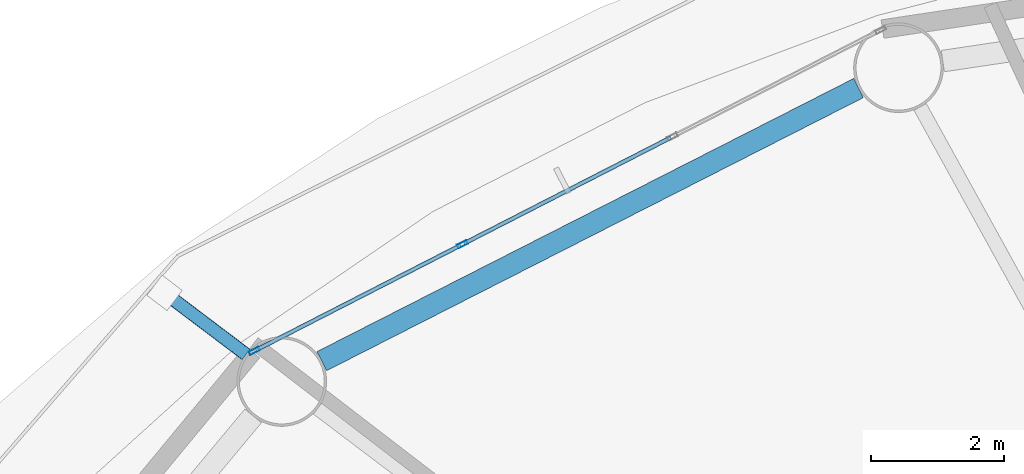
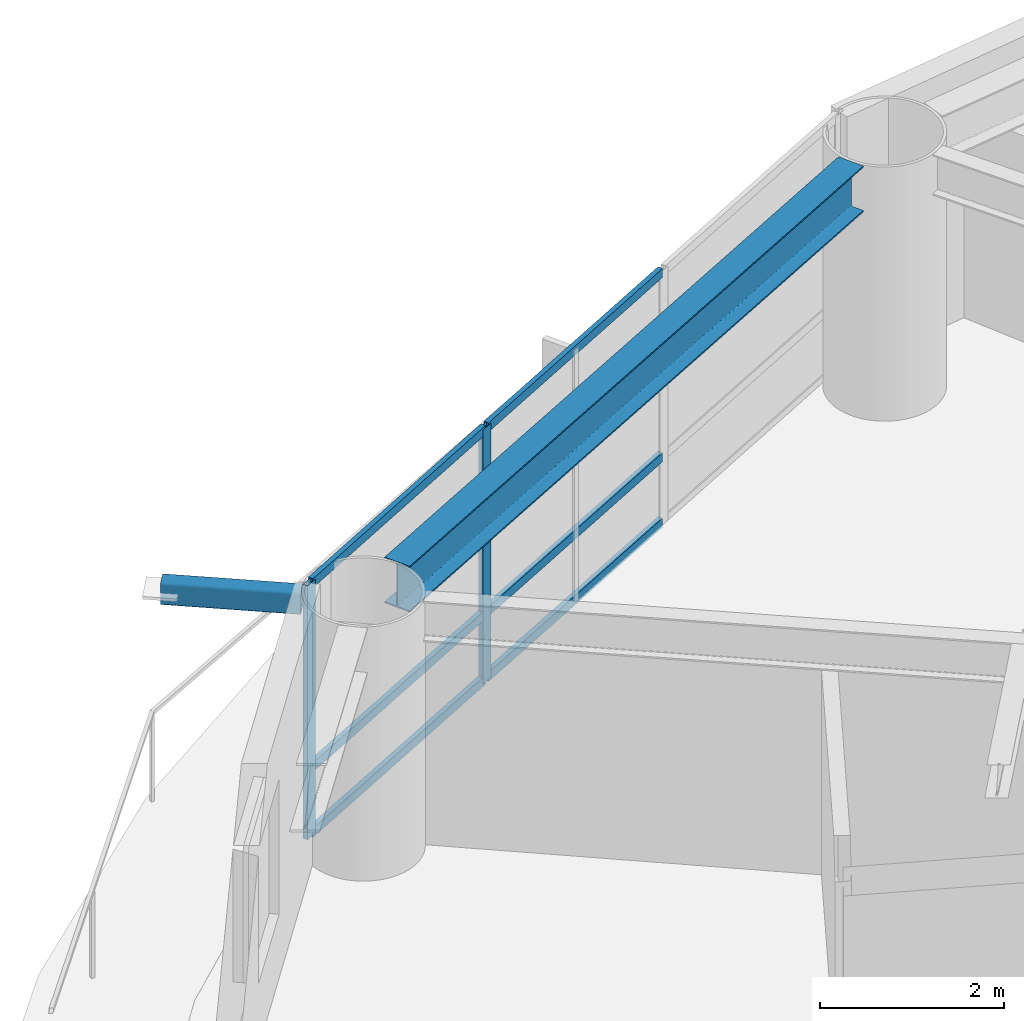
# One storey, part 8 of 24: 9 members, 1 beam, 1 element without a shape of its own.
"""IFC4 building model written with IfcOpenShell, lengths in metres."""

from ifc_helpers import new_model, si_unit, direction, frame, origin, origin_2d, place, context, subcontext, project, spatial, hollow_rectangle, i_section, extrude, material, layer, layer_set, material_profile, profile_set, type_object, element, aggregate, save


model = new_model("IFC4")

# Units and contexts
model_context = context("Model", 3, precision=1e-05, world=origin(), true_north=direction((0.0, 1.0)))
body_context = subcontext(model_context, "Body", "Model", "MODEL_VIEW")
ifc_project = project(units=[si_unit("LENGTHUNIT", "METRE"), si_unit("AREAUNIT", "SQUARE_METRE"), si_unit("VOLUMEUNIT", "CUBIC_METRE"), si_unit("PLANEANGLEUNIT", "RADIAN"), si_unit("MASSUNIT", "GRAM", prefix="KILO")], contexts=[model_context])

# Site, building, storey
site_placement = place(None, origin())
site = spatial("IfcSite", under=ifc_project, at=site_placement, CompositionType="ELEMENT")
building_placement = place(site_placement, origin())
building = spatial("IfcBuilding", under=site, at=building_placement, Name="Sarneth Arch Tower", CompositionType="ELEMENT")
storey_placement = place(building_placement, frame((0.0, 0.0, 91.199951171875)))
storey = spatial("IfcBuildingStorey", under=building, at=storey_placement, Name="L22", CompositionType="ELEMENT", Elevation=91.199951171875)

# Beam
ifc_material_1 = material(Name="Steel S355", Category="steel")
ifc_material_profile_1 = material_profile(ifc_material_1, i_section(OverallWidth=0.323974609375, OverallDepth=0.611083984375, WebThickness=0.0126953125, FlangeThickness=0.01904296875, FilletRadius=0.01904296875, at=origin_2d()), Name="W610x155")
ifc_profile_set_1 = profile_set([ifc_material_profile_1], Name="Steel S355")
beam_type = type_object("IfcBeamType", Name="BM-SPAN-610B", PredefinedType="SPANDREL", material=ifc_profile_set_1)
beam_placement = place(storey_placement, frame((36.2880859375, 61.83447265625, 3.074462890625), z_axis=(-0.891255891792, -0.453500755619, 0.0), x_axis=(0.453500755619, -0.891255891792, 0.0)))
element("IfcBeam", 1, at=beam_placement, inside=storey, type_object=beam_type, Name="L22 Perimeter spandrel beam 06", PredefinedType="SPANDREL", context=body_context, shape_type="SweptSolid", body=[
    extrude(i_section(OverallWidth=0.323974609375, OverallDepth=0.611083984375, WebThickness=0.0126953125, FlangeThickness=0.01904296875, FilletRadius=0.01904296875, at=origin_2d()), origin(), (0.0, 0.0, 1.0), 9.070556640625),
])

# Curtain wall, members
ifc_material_2 = material(Name="Anodised aluminium Type AA25 and solar-control low-e laminated IGU", Category="aluminium")
ifc_layer = layer(ifc_material_2, 0.159912109375)
ifc_layer_set = layer_set([ifc_layer], Name="Anodised aluminium Type AA25 and solar-control low-e laminated IGU")
curtain_wall_type = type_object("IfcCurtainWallType", Name="CW-HOTEL-MID", PredefinedType="NOTDEFINED", material=ifc_layer_set)
curtain_wall_placement = place(storey_placement, origin())
curtain_wall = element("IfcCurtainWall", 2, at=curtain_wall_placement, inside=storey, type_object=curtain_wall_type, Name="L22 Unitised curtain wall facet 06", PredefinedType="NOTDEFINED")
ifc_material_3 = material(Name="Anodised Aluminium 6063-T6", Category="aluminium")
ifc_material_profile_2 = material_profile(ifc_material_3, hollow_rectangle(XDim=0.06005859375, YDim=0.159912109375, WallThickness=0.00390625, at=origin_2d()), Name="AL-MULL-160x60x4")
ifc_profile_set_2 = profile_set([ifc_material_profile_2], Name="Anodised Aluminium 6063-T6")
member_type_1 = type_object("IfcMemberType", Name="CW-MULLION", PredefinedType="MULLION", material=ifc_profile_set_2)
member_1_placement = place(storey_placement, frame((30.322998046875, 59.481201171875, 0.0), z_axis=(0.0, 0.0, 1.0), x_axis=(0.456031365356, -0.889963703649, 0.0)))
member_1 = element("IfcMember", 3, at=member_1_placement, type_object=member_type_1, Name="CW-SYS-4 mullion 3", PredefinedType="MULLION", context=body_context, shape_type="SweptSolid", body=[
    extrude(hollow_rectangle(XDim=0.06005859375, YDim=0.159912109375, WallThickness=0.00390625, at=origin_2d()), origin(), (0.0, 0.0, 1.0), 3.380126953125),
])
member_2_placement = place(storey_placement, frame((27.186767578125, 57.8740234375, 0.0), z_axis=(0.0, 0.0, 1.0), x_axis=(0.456031365356, -0.889963703649, 0.0)))
member_2 = element("IfcMember", 4, at=member_2_placement, type_object=member_type_1, Name="CW-SYS-4 mullion 4", PredefinedType="MULLION", context=body_context, shape_type="SweptSolid", body=[
    extrude(hollow_rectangle(XDim=0.06005859375, YDim=0.159912109375, WallThickness=0.00390625, at=origin_2d()), origin(), (0.0, 0.0, 1.0), 3.380126953125),
])
ifc_material_4 = material(Name="Anodised Aluminium 6063-T6", Category="aluminium")
ifc_material_profile_3 = material_profile(ifc_material_4, hollow_rectangle(XDim=0.06005859375, YDim=0.1201171875, WallThickness=0.00390625, at=origin_2d()), Name="AL-TRAN-120x60x4")
ifc_profile_set_3 = profile_set([ifc_material_profile_3], Name="Anodised Aluminium 6063-T6")
member_type_2 = type_object("IfcMemberType", Name="CW-TRANSOM", PredefinedType="USERDEFINED", material=ifc_profile_set_3)
member_3_placement = place(storey_placement, frame((33.459228515625, 61.088134765625, 0.030029296875), z_axis=(-0.889981813856, -0.455996020823, 0.0), x_axis=(0.455996020823, -0.889981813856, 0.0)))
member_3 = element("IfcMember", 5, at=member_3_placement, type_object=member_type_2, Name="CW-SYS-4 transom 2.1", ObjectType="TRANSOM", PredefinedType="USERDEFINED", context=body_context, shape_type="SweptSolid", body=[
    extrude(hollow_rectangle(XDim=0.06005859375, YDim=0.1201171875, WallThickness=0.00390625, at=origin_2d()), origin(), (0.0, 0.0, 1.0), 3.494140625),
])
member_4_placement = place(storey_placement, frame((33.459228515625, 61.088134765625, 0.900146484375), z_axis=(-0.889981813856, -0.455996020823, 0.0), x_axis=(0.455996020823, -0.889981813856, 0.0)))
member_4 = element("IfcMember", 6, at=member_4_placement, type_object=member_type_2, Name="CW-SYS-4 transom 2.2", ObjectType="TRANSOM", PredefinedType="USERDEFINED", context=body_context, shape_type="SweptSolid", body=[
    extrude(hollow_rectangle(XDim=0.06005859375, YDim=0.1201171875, WallThickness=0.00390625, at=origin_2d()), origin(), (0.0, 0.0, 1.0), 3.494140625),
])
member_5_placement = place(storey_placement, frame((33.459228515625, 61.088134765625, 3.35009765625), z_axis=(-0.889981813856, -0.455996020823, 0.0), x_axis=(0.455996020823, -0.889981813856, 0.0)))
member_5 = element("IfcMember", 7, at=member_5_placement, type_object=member_type_2, Name="CW-SYS-4 transom 2.3", ObjectType="TRANSOM", PredefinedType="USERDEFINED", context=body_context, shape_type="SweptSolid", body=[
    extrude(hollow_rectangle(XDim=0.06005859375, YDim=0.1201171875, WallThickness=0.00390625, at=origin_2d()), origin(), (0.0, 0.0, 1.0), 3.494140625),
])
member_6_placement = place(storey_placement, frame((30.296142578125, 59.467529296875, 0.030029296875), z_axis=(-0.889942905184, -0.456071952122, 0.0), x_axis=(0.456071952122, -0.889942905184, 0.0)))
member_6 = element("IfcMember", 8, at=member_6_placement, type_object=member_type_2, Name="CW-SYS-4 transom 3.1", ObjectType="TRANSOM", PredefinedType="USERDEFINED", context=body_context, shape_type="SweptSolid", body=[
    extrude(hollow_rectangle(XDim=0.06005859375, YDim=0.1201171875, WallThickness=0.00390625, at=origin_2d()), origin(), (0.0, 0.0, 1.0), 3.464111328125),
])
member_7_placement = place(storey_placement, frame((30.296142578125, 59.467529296875, 0.900146484375), z_axis=(-0.889942905184, -0.456071952122, 0.0), x_axis=(0.456071952122, -0.889942905184, 0.0)))
member_7 = element("IfcMember", 9, at=member_7_placement, type_object=member_type_2, Name="CW-SYS-4 transom 3.2", ObjectType="TRANSOM", PredefinedType="USERDEFINED", context=body_context, shape_type="SweptSolid", body=[
    extrude(hollow_rectangle(XDim=0.06005859375, YDim=0.1201171875, WallThickness=0.00390625, at=origin_2d()), origin(), (0.0, 0.0, 1.0), 3.464111328125),
])
member_8_placement = place(storey_placement, frame((30.296142578125, 59.467529296875, 3.35009765625), z_axis=(-0.889942905184, -0.456071952122, 0.0), x_axis=(0.456071952122, -0.889942905184, 0.0)))
member_8 = element("IfcMember", 10, at=member_8_placement, type_object=member_type_2, Name="CW-SYS-4 transom 3.3", ObjectType="TRANSOM", PredefinedType="USERDEFINED", context=body_context, shape_type="SweptSolid", body=[
    extrude(hollow_rectangle(XDim=0.06005859375, YDim=0.1201171875, WallThickness=0.00390625, at=origin_2d()), origin(), (0.0, 0.0, 1.0), 3.464111328125),
])
aggregate(curtain_wall, [member_1, member_2, member_3, member_4, member_5, member_6, member_7, member_8])

# Member
ifc_material_5 = material(Name="Steel S355", Category="steel")
ifc_material_profile_4 = material_profile(ifc_material_5, hollow_rectangle(XDim=0.199951171875, YDim=0.300048828125, WallThickness=0.012451171875, InnerFilletRadius=0.018798828125, OuterFilletRadius=0.03125, at=origin_2d()), Name="RHS300x200x12.5")
ifc_profile_set_4 = profile_set([ifc_material_profile_4], Name="Steel S355")
member_type_3 = type_object("IfcMemberType", Name="MEM-CANT-STRUT", PredefinedType="STRUT", material=ifc_profile_set_4)
member_9_placement = place(storey_placement, frame((27.063720703125, 57.822021484375, 3.219970703125), z_axis=(-0.797804556467, 0.602916154768, 0.0), x_axis=(-0.602916154768, -0.797804556467, 0.0)))
element("IfcMember", 11, at=member_9_placement, inside=storey, type_object=member_type_3, Name="L22 Balcony cantilever bracket 07", PredefinedType="STRUT", context=body_context, shape_type="SweptSolid", body=[
    extrude(hollow_rectangle(XDim=0.199951171875, YDim=0.300048828125, WallThickness=0.012451171875, InnerFilletRadius=0.018798828125, OuterFilletRadius=0.03125, at=origin_2d()), origin(), (0.0, 0.0, 1.0), 1.538330078125),
])

save(model, "model.ifc")
